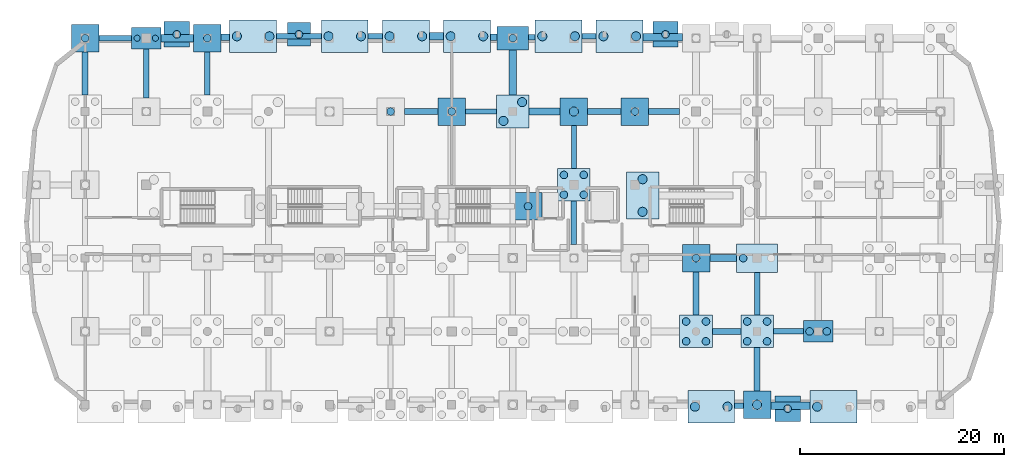
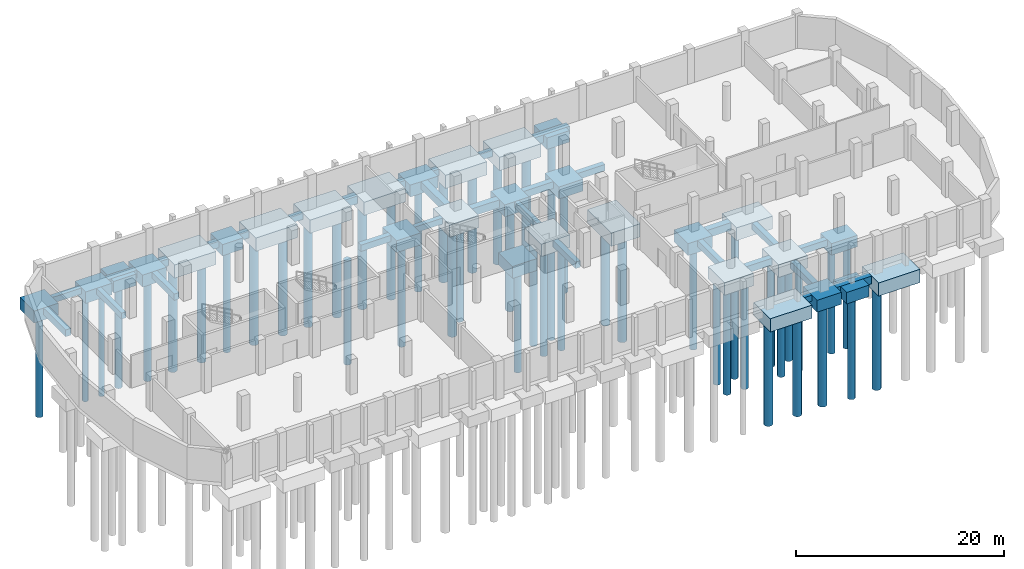
# One storey, part 3 of 11: 58 footings, 50 piles.
"""IFC4 building model written with IfcOpenShell, lengths in metres."""

from ifc_helpers import new_model, si_unit, direction, frame, origin, origin_2d, place, context, subcontext, project, spatial, rectangle, circle, extrude, material, material_profile, profile_set, type_object, element, save


model = new_model("IFC4")

# Units and contexts
model_context = context("Model", 3, precision=1e-05, world=origin(), true_north=direction((0.0, 1.0)))
body_context = subcontext(model_context, "Body", "Model", "MODEL_VIEW")
ifc_project = project(units=[si_unit("LENGTHUNIT", "METRE"), si_unit("AREAUNIT", "SQUARE_METRE"), si_unit("VOLUMEUNIT", "CUBIC_METRE"), si_unit("PLANEANGLEUNIT", "RADIAN"), si_unit("MASSUNIT", "GRAM", prefix="KILO")], contexts=[model_context])

# Site, building, storey
site_placement = place(None, origin())
site = spatial("IfcSite", under=ifc_project, at=site_placement, CompositionType="ELEMENT")
building_placement = place(site_placement, origin())
building = spatial("IfcBuilding", under=site, at=building_placement, Name="Dunvalen Ferry Terminal", CompositionType="ELEMENT")
storey_placement = place(building_placement, frame((0.0, 0.0, -4.080078125)))
storey = spatial("IfcBuildingStorey", under=building, at=storey_placement, Name="B1", CompositionType="ELEMENT", Elevation=-4.080078125)

# Footings
ifc_material = material(Name="Concrete C40/50", Category="concrete")
ifc_material_profile_1 = material_profile(ifc_material, rectangle(XDim=0.5, YDim=0.699951171875, at=origin_2d()), Name="Concrete C40/50")
ifc_profile_set_1 = profile_set([ifc_material_profile_1], Name="Concrete C40/50")
footing_type_1 = type_object("IfcFootingType", Name="STR-GB-500x700", PredefinedType="FOOTING_BEAM", material=ifc_profile_set_1)
footing_1_placement = place(storey_placement, frame((69.800048828125, -0.094970703125, -0.77001953125), z_axis=(1.0, 0.0, 0.0), x_axis=(0.0, 1.0, 0.0)))
element("IfcFooting", 1, at=footing_1_placement, inside=storey, type_object=footing_type_1, Name="B1 Ground Beam X-011", PredefinedType="FOOTING_BEAM", context=body_context, shape_type="SweptSolid", body=[
    extrude(rectangle(XDim=0.5, YDim=0.699951171875, at=origin_2d()), origin(), (0.0, 0.0, 1.0), 0.849853515625),
])
footing_2_placement = place(storey_placement, frame((43.35009765625, 28.800048828125, -0.77001953125), z_axis=(1.0, 0.0, 0.0), x_axis=(0.0, 1.0, 0.0)))
element("IfcFooting", 2, at=footing_2_placement, inside=storey, type_object=footing_type_1, Name="B1 Ground Beam X-059", PredefinedType="FOOTING_BEAM", context=body_context, shape_type="SweptSolid", body=[
    extrude(rectangle(XDim=0.5, YDim=0.699951171875, at=origin_2d()), origin(), (0.0, 0.0, 1.0), 3.0498046875),
])
footing_3_placement = place(storey_placement, frame((7.35009765625, 36.0, -0.77001953125), z_axis=(1.0, 0.0, 0.0), x_axis=(0.0, 1.0, 0.0)))
element("IfcFooting", 3, at=footing_3_placement, inside=storey, type_object=footing_type_1, Name="B1 Ground Beam X-067", PredefinedType="FOOTING_BEAM", context=body_context, shape_type="SweptSolid", body=[
    extrude(rectangle(XDim=0.5, YDim=0.699951171875, at=origin_2d()), origin(), (0.0, 0.0, 1.0), 3.199951171875),
])
for number, where, z_axis, x_axis, name in (
    (4, (33.800048828125, 36.18994140625, -0.77001953125), (1.0, 0.0, 0.0), (0.0, 1.0, 0.0), "B1 Ground Beam X-071"),
    (5, (54.800048828125, 36.18994140625, -0.77001953125), (1.0, 0.0, 0.0), (0.0, 1.0, 0.0), "B1 Ground Beam X-075"),
):
    element("IfcFooting", number, at=place(storey_placement, frame(where, z_axis=z_axis, x_axis=x_axis)), inside=storey, type_object=footing_type_1, Name=name, PredefinedType="FOOTING_BEAM", context=body_context, shape_type="SweptSolid", body=[
        extrude(rectangle(XDim=0.5, YDim=0.699951171875, at=origin_2d()), origin(), (0.0, 0.0, 1.0), 1.39990234375),
    ])
footing_4_placement = place(storey_placement, frame((12.0, 30.14990234375, -0.77001953125), z_axis=(0.0, 1.0, 0.0), x_axis=(-1.0, 0.0, 0.0)))
element("IfcFooting", 6, at=footing_4_placement, inside=storey, type_object=footing_type_1, Name="B1 Ground Beam Y-087", PredefinedType="FOOTING_BEAM", context=body_context, shape_type="SweptSolid", body=[
    extrude(rectangle(XDim=0.5, YDim=0.699951171875, at=origin_2d()), origin(), (0.0, 0.0, 1.0), 4.800048828125),
])
footing_5_placement = place(storey_placement, frame((54.0, 23.199951171875, -0.77001953125), z_axis=(0.0, 1.0, 0.0), x_axis=(-1.0, 0.0, 0.0)))
element("IfcFooting", 7, at=footing_5_placement, inside=storey, type_object=footing_type_1, Name="B1 Ground Beam Y-107", PredefinedType="FOOTING_BEAM", context=body_context, shape_type="SweptSolid", body=[
    extrude(rectangle(XDim=0.5, YDim=0.699951171875, at=origin_2d()), origin(), (0.0, 0.0, 1.0), 4.25),
])
ifc_material_profile_2 = material_profile(ifc_material, rectangle(XDim=0.550048828125, YDim=0.75, at=origin_2d()), Name="Concrete C40/50")
ifc_profile_set_2 = profile_set([ifc_material_profile_2], Name="Concrete C40/50")
footing_type_2 = type_object("IfcFootingType", Name="STR-GB-550x750", PredefinedType="FOOTING_BEAM", material=ifc_profile_set_2)
footing_6_placement = place(storey_placement, frame((73.60009765625, 7.199951171875, -0.794921875), z_axis=(1.0, 0.0, 0.0), x_axis=(0.0, 1.0, 0.0)))
element("IfcFooting", 8, at=footing_6_placement, inside=storey, type_object=footing_type_2, Name="B1 Ground Beam X-026", PredefinedType="FOOTING_BEAM", context=body_context, shape_type="SweptSolid", body=[
    extrude(rectangle(XDim=0.550048828125, YDim=0.75, at=origin_2d()), origin(), (0.0, 0.0, 1.0), 2.949951171875),
])
footing_7_placement = place(storey_placement, frame((37.35009765625, 28.800048828125, -0.794921875), z_axis=(1.0, 0.0, 0.0), x_axis=(0.0, 1.0, 0.0)))
element("IfcFooting", 9, at=footing_7_placement, inside=storey, type_object=footing_type_2, Name="B1 Ground Beam X-058", PredefinedType="FOOTING_BEAM", context=body_context, shape_type="SweptSolid", body=[
    extrude(rectangle(XDim=0.550048828125, YDim=0.75, at=origin_2d()), origin(), (0.0, 0.0, 1.0), 3.2998046875),
])
footing_8_placement = place(storey_placement, frame((61.35009765625, 28.800048828125, -0.794921875), z_axis=(1.0, 0.0, 0.0), x_axis=(0.0, 1.0, 0.0)))
element("IfcFooting", 10, at=footing_8_placement, inside=storey, type_object=footing_type_2, Name="B1 Ground Beam X-062", PredefinedType="FOOTING_BEAM", context=body_context, shape_type="SweptSolid", body=[
    extrude(rectangle(XDim=0.550048828125, YDim=0.75, at=origin_2d()), origin(), (0.0, 0.0, 1.0), 3.0498046875),
])
footing_9_placement = place(storey_placement, frame((24.800048828125, 36.18994140625, -0.794921875), z_axis=(1.0, 0.0, 0.0), x_axis=(0.0, 1.0, 0.0)))
element("IfcFooting", 11, at=footing_9_placement, inside=storey, type_object=footing_type_2, Name="B1 Ground Beam X-070", PredefinedType="FOOTING_BEAM", context=body_context, shape_type="SweptSolid", body=[
    extrude(rectangle(XDim=0.550048828125, YDim=0.75, at=origin_2d()), origin(), (0.0, 0.0, 1.0), 4.39990234375),
])
footing_10_placement = place(storey_placement, frame((49.550048828125, 36.094970703125, -0.794921875), z_axis=(1.0, 0.0, 0.0), x_axis=(0.0, 1.0, 0.0)))
element("IfcFooting", 12, at=footing_10_placement, inside=storey, type_object=footing_type_2, Name="B1 Ground Beam X-074", PredefinedType="FOOTING_BEAM", context=body_context, shape_type="SweptSolid", body=[
    extrude(rectangle(XDim=0.550048828125, YDim=0.75, at=origin_2d()), origin(), (0.0, 0.0, 1.0), 0.64990234375),
])
for number, where, z_axis, x_axis, name in (
    (13, (18.0, 30.39990234375, -0.794921875), (0.0, 1.0, 0.0), (-1.0, 0.0, 0.0), "B1 Ground Beam Y-090"),
    (14, (54.0, 15.75, -0.794921875), (0.0, 1.0, 0.0), (-1.0, 0.0, 0.0), "B1 Ground Beam Y-106"),
    (15, (66.0, 8.800048828125, -0.794921875), (0.0, 1.0, 0.0), (-1.0, 0.0, 0.0), "B1 Ground Beam Y-110"),
):
    element("IfcFooting", number, at=place(storey_placement, frame(where, z_axis=z_axis, x_axis=x_axis)), inside=storey, type_object=footing_type_2, Name=name, PredefinedType="FOOTING_BEAM", context=body_context, shape_type="SweptSolid", body=[
        extrude(rectangle(XDim=0.550048828125, YDim=0.75, at=origin_2d()), origin(), (0.0, 0.0, 1.0), 4.25),
    ])
footing_11_placement = place(storey_placement, frame((72.0, 8.800048828125, -0.794921875), z_axis=(0.0, 1.0, 0.0), x_axis=(-1.0, 0.0, 0.0)))
element("IfcFooting", 16, at=footing_11_placement, inside=storey, type_object=footing_type_2, Name="B1 Ground Beam Y-114", PredefinedType="FOOTING_BEAM", context=body_context, shape_type="SweptSolid", body=[
    extrude(rectangle(XDim=0.550048828125, YDim=0.75, at=origin_2d()), origin(), (0.0, 0.0, 1.0), 4.199951171875),
])
ifc_material_profile_3 = material_profile(ifc_material, rectangle(XDim=0.60009765625, YDim=0.800048828125, at=origin_2d()), Name="Concrete C40/50")
ifc_profile_set_3 = profile_set([ifc_material_profile_3], Name="Concrete C40/50")
footing_type_3 = type_object("IfcFootingType", Name="STR-GB-600x800", PredefinedType="FOOTING_BEAM", material=ifc_profile_set_3)
footing_12_placement = place(storey_placement, frame((67.60009765625, 7.199951171875, -0.81982421875), z_axis=(1.0, 0.0, 0.0), x_axis=(0.0, 1.0, 0.0)))
element("IfcFooting", 17, at=footing_12_placement, inside=storey, type_object=footing_type_3, Name="B1 Ground Beam X-025", PredefinedType="FOOTING_BEAM", context=body_context, shape_type="SweptSolid", body=[
    extrude(rectangle(XDim=0.60009765625, YDim=0.800048828125, at=origin_2d()), origin(), (0.0, 0.0, 1.0), 2.7998046875),
])
footing_13_placement = place(storey_placement, frame((55.35009765625, 28.800048828125, -0.81982421875), z_axis=(1.0, 0.0, 0.0), x_axis=(0.0, 1.0, 0.0)))
element("IfcFooting", 18, at=footing_13_placement, inside=storey, type_object=footing_type_3, Name="B1 Ground Beam X-061", PredefinedType="FOOTING_BEAM", context=body_context, shape_type="SweptSolid", body=[
    extrude(rectangle(XDim=0.60009765625, YDim=0.800048828125, at=origin_2d()), origin(), (0.0, 0.0, 1.0), 3.2998046875),
])
footing_14_placement = place(storey_placement, frame((19.35009765625, 36.094970703125, -0.81982421875), z_axis=(1.0, 0.0, 0.0), x_axis=(0.0, 1.0, 0.0)))
element("IfcFooting", 19, at=footing_14_placement, inside=storey, type_object=footing_type_3, Name="B1 Ground Beam X-069", PredefinedType="FOOTING_BEAM", context=body_context, shape_type="SweptSolid", body=[
    extrude(rectangle(XDim=0.60009765625, YDim=0.800048828125, at=origin_2d()), origin(), (0.0, 0.0, 1.0), 0.849853515625),
])
footing_15_placement = place(storey_placement, frame((45.800048828125, 36.094970703125, -0.81982421875), z_axis=(1.0, 0.0, 0.0), x_axis=(0.0, 1.0, 0.0)))
element("IfcFooting", 20, at=footing_15_placement, inside=storey, type_object=footing_type_3, Name="B1 Ground Beam X-073", PredefinedType="FOOTING_BEAM", context=body_context, shape_type="SweptSolid", body=[
    extrude(rectangle(XDim=0.60009765625, YDim=0.800048828125, at=origin_2d()), origin(), (0.0, 0.0, 1.0), 0.64990234375),
])
for number, where, z_axis, x_axis, name in (
    (21, (6.0, 30.39990234375, -0.81982421875), (0.0, 1.0, 0.0), (-1.0, 0.0, 0.0), "B1 Ground Beam Y-085"),
    (22, (72.0, 1.35009765625, -0.81982421875), (0.0, 1.0, 0.0), (-1.0, 0.0, 0.0), "B1 Ground Beam Y-113"),
):
    element("IfcFooting", number, at=place(storey_placement, frame(where, z_axis=z_axis, x_axis=x_axis)), inside=storey, type_object=footing_type_3, Name=name, PredefinedType="FOOTING_BEAM", context=body_context, shape_type="SweptSolid", body=[
        extrude(rectangle(XDim=0.60009765625, YDim=0.800048828125, at=origin_2d()), origin(), (0.0, 0.0, 1.0), 4.25),
    ])
ifc_material_profile_4 = material_profile(ifc_material, rectangle(XDim=0.699951171875, YDim=0.89990234375, at=origin_2d()), Name="Concrete C40/50")
ifc_profile_set_4 = profile_set([ifc_material_profile_4], Name="Concrete C40/50")
footing_type_4 = type_object("IfcFootingType", Name="STR-GB-700x900", PredefinedType="FOOTING_BEAM", material=ifc_profile_set_4)
footing_16_placement = place(storey_placement, frame((73.35009765625, -0.094970703125, -0.869873046875), z_axis=(1.0, 0.0, 0.0), x_axis=(0.0, 1.0, 0.0)))
element("IfcFooting", 23, at=footing_16_placement, inside=storey, type_object=footing_type_4, Name="B1 Ground Beam X-012", PredefinedType="FOOTING_BEAM", context=body_context, shape_type="SweptSolid", body=[
    extrude(rectangle(XDim=0.699951171875, YDim=0.89990234375, at=origin_2d()), origin(), (0.0, 0.0, 1.0), 3.849853515625),
])
footing_17_placement = place(storey_placement, frame((67.35009765625, 14.39990234375, -0.869873046875), z_axis=(1.0, 0.0, 0.0), x_axis=(0.0, 1.0, 0.0)))
element("IfcFooting", 24, at=footing_17_placement, inside=storey, type_object=footing_type_4, Name="B1 Ground Beam X-040", PredefinedType="FOOTING_BEAM", context=body_context, shape_type="SweptSolid", body=[
    extrude(rectangle(XDim=0.699951171875, YDim=0.89990234375, at=origin_2d()), origin(), (0.0, 0.0, 1.0), 2.64990234375),
])
footing_18_placement = place(storey_placement, frame((49.60009765625, 28.800048828125, -0.869873046875), z_axis=(1.0, 0.0, 0.0), x_axis=(0.0, 1.0, 0.0)))
element("IfcFooting", 25, at=footing_18_placement, inside=storey, type_object=footing_type_4, Name="B1 Ground Beam X-060", PredefinedType="FOOTING_BEAM", context=body_context, shape_type="SweptSolid", body=[
    extrude(rectangle(XDim=0.699951171875, YDim=0.89990234375, at=origin_2d()), origin(), (0.0, 0.0, 1.0), 3.0498046875),
])
footing_19_placement = place(storey_placement, frame((13.449951171875, 36.0, -0.869873046875), z_axis=(1.0, 0.0, 0.0), x_axis=(0.0, 1.0, 0.0)))
element("IfcFooting", 26, at=footing_19_placement, inside=storey, type_object=footing_type_4, Name="B1 Ground Beam X-068", PredefinedType="FOOTING_BEAM", context=body_context, shape_type="SweptSolid", body=[
    extrude(rectangle(XDim=0.699951171875, YDim=0.89990234375, at=origin_2d()), origin(), (0.0, 0.0, 1.0), 3.199951171875),
])
footing_20_placement = place(storey_placement, frame((39.800048828125, 36.18994140625, -0.869873046875), z_axis=(1.0, 0.0, 0.0), x_axis=(0.0, 1.0, 0.0)))
element("IfcFooting", 27, at=footing_20_placement, inside=storey, type_object=footing_type_4, Name="B1 Ground Beam X-072", PredefinedType="FOOTING_BEAM", context=body_context, shape_type="SweptSolid", body=[
    extrude(rectangle(XDim=0.699951171875, YDim=0.89990234375, at=origin_2d()), origin(), (0.0, 0.0, 1.0), 1.39990234375),
])
footing_21_placement = place(storey_placement, frame((60.800048828125, 36.094970703125, -0.869873046875), z_axis=(1.0, 0.0, 0.0), x_axis=(0.0, 1.0, 0.0)))
element("IfcFooting", 28, at=footing_21_placement, inside=storey, type_object=footing_type_4, Name="B1 Ground Beam X-076", PredefinedType="FOOTING_BEAM", context=body_context, shape_type="SweptSolid", body=[
    extrude(rectangle(XDim=0.699951171875, YDim=0.89990234375, at=origin_2d()), origin(), (0.0, 0.0, 1.0), 3.849853515625),
])
footing_22_placement = place(storey_placement, frame((48.0, 30.39990234375, -0.869873046875), z_axis=(0.0, 1.0, 0.0), x_axis=(-1.0, 0.0, 0.0)))
element("IfcFooting", 29, at=footing_22_placement, inside=storey, type_object=footing_type_4, Name="B1 Ground Beam Y-104", PredefinedType="FOOTING_BEAM", context=body_context, shape_type="SweptSolid", body=[
    extrude(rectangle(XDim=0.699951171875, YDim=0.89990234375, at=origin_2d()), origin(), (0.0, 0.0, 1.0), 4.4501953125),
])
footing_type_5 = type_object("IfcFootingType", Name="STR-PC-04", PredefinedType="PILE_CAP", material=ifc_material)
footing_23_placement = place(storey_placement, frame((27.0, 36.3798828125, -1.7197265625), z_axis=(0.0, 0.0, 1.0), x_axis=(1.0, 0.0, 0.0)))
element("IfcFooting", 30, at=footing_23_placement, inside=storey, type_object=footing_type_5, Name="B1 Pile Cap 029", PredefinedType="PILE_CAP", context=body_context, shape_type="SweptSolid", body=[
    extrude(rectangle(XDim=2.300048828125, YDim=2.300048828125, at=origin_2d()), origin(), (0.0, 0.0, 1.0), 1.300048828125),
])
footing_type_6 = type_object("IfcFootingType", Name="STR-PC-05", PredefinedType="PILE_CAP", material=ifc_material)
for number, where, z_axis, x_axis, name in (
    (31, (15.0, 36.3798828125, -1.77001953125), (0.0, 0.0, 1.0), (1.0, 0.0, 0.0), "B1 Pile Cap 015"),
    (32, (63.0, 36.3798828125, -1.77001953125), (0.0, 0.0, 1.0), (1.0, 0.0, 0.0), "B1 Pile Cap 069"),
    (33, (75.0, -0.3798828125, -1.77001953125), (0.0, 0.0, 1.0), (1.0, 0.0, 0.0), "B1 Pile Cap 082"),
):
    element("IfcFooting", number, at=place(storey_placement, frame(where, z_axis=z_axis, x_axis=x_axis)), inside=storey, type_object=footing_type_6, Name=name, PredefinedType="PILE_CAP", context=body_context, shape_type="SweptSolid", body=[
        extrude(rectangle(XDim=2.5, YDim=2.5, at=origin_2d()), origin(), (0.0, 0.0, 1.0), 1.35009765625),
    ])
footing_type_7 = type_object("IfcFootingType", Name="STR-PC-06", PredefinedType="PILE_CAP", material=ifc_material)
for number, where, z_axis, x_axis, name in (
    (34, (6.0, 36.0, -1.81982421875), (0.0, 0.0, 1.0), (1.0, 0.0, 0.0), "B1 Pile Cap 008"),
    (35, (18.0, 36.0, -1.81982421875), (0.0, 0.0, 1.0), (1.0, 0.0, 0.0), "B1 Pile Cap 020"),
    (36, (42.0, 28.800048828125, -1.81982421875), (0.0, 0.0, 1.0), (1.0, 0.0, 0.0), "B1 Pile Cap 046"),
    (37, (49.5, 19.5, -1.81982421875), (0.0, 0.0, 1.0), (1.0, 0.0, 0.0), "B1 Pile Cap 054"),
    (38, (54.0, 28.800048828125, -1.81982421875), (0.0, 0.0, 1.0), (1.0, 0.0, 0.0), "B1 Pile Cap 061"),
    (39, (60.0, 28.800048828125, -1.81982421875), (0.0, 0.0, 1.0), (1.0, 0.0, 0.0), "B1 Pile Cap 067"),
    (40, (66.0, 14.39990234375, -1.81982421875), (0.0, 0.0, 1.0), (1.0, 0.0, 0.0), "B1 Pile Cap 072"),
    (41, (72.0, 0.0, -1.81982421875), (0.0, 0.0, 1.0), (1.0, 0.0, 0.0), "B1 Pile Cap 077"),
):
    element("IfcFooting", number, at=place(storey_placement, frame(where, z_axis=z_axis, x_axis=x_axis)), inside=storey, type_object=footing_type_7, Name=name, PredefinedType="PILE_CAP", context=body_context, shape_type="SweptSolid", body=[
        extrude(rectangle(XDim=2.699951171875, YDim=2.699951171875, at=origin_2d()), origin(), (0.0, 0.0, 1.0), 1.39990234375),
    ])
footing_type_8 = type_object("IfcFootingType", Name="STR-PC-07", PredefinedType="PILE_CAP", material=ifc_material)
for number, where, z_axis, x_axis, name in (
    (42, (12.0, 36.0, -1.77001953125), (0.0, 0.0, 1.0), (1.0, 0.0, 0.0), "B1 Pile Cap 014"),
    (43, (78.0, 7.199951171875, -1.77001953125), (0.0, 0.0, 1.0), (1.0, 0.0, 0.0), "B1 Pile Cap 084"),
):
    element("IfcFooting", number, at=place(storey_placement, frame(where, z_axis=z_axis, x_axis=x_axis)), inside=storey, type_object=footing_type_8, Name=name, PredefinedType="PILE_CAP", context=body_context, shape_type="SweptSolid", body=[
        extrude(rectangle(XDim=2.89990234375, YDim=2.10009765625, at=origin_2d()), origin(), (0.0, 0.0, 1.0), 1.35009765625),
    ])
footing_type_9 = type_object("IfcFootingType", Name="STR-PC-08", PredefinedType="PILE_CAP", material=ifc_material)
footing_24_placement = place(storey_placement, frame((48.0, 36.0, -1.81982421875), z_axis=(0.0, 0.0, 1.0), x_axis=(1.0, 0.0, 0.0)))
element("IfcFooting", 44, at=footing_24_placement, inside=storey, type_object=footing_type_9, Name="B1 Pile Cap 053", PredefinedType="PILE_CAP", context=body_context, shape_type="SweptSolid", body=[
    extrude(rectangle(XDim=3.10009765625, YDim=2.300048828125, at=origin_2d()), origin(), (0.0, 0.0, 1.0), 1.39990234375),
])
footing_type_10 = type_object("IfcFootingType", Name="STR-PC-09", PredefinedType="PILE_CAP", material=ifc_material)
for number, where, z_axis, x_axis, name in (
    (45, (48.0, 28.800048828125, -1.8701171875), (0.0, 0.0, 1.0), (1.0, 0.0, 0.0), "B1 Pile Cap 052"),
    (46, (54.0, 21.60009765625, -1.8701171875), (0.0, 0.0, 1.0), (1.0, 0.0, 0.0), "B1 Pile Cap 060"),
    (47, (66.0, 7.199951171875, -1.8701171875), (0.0, 0.0, 1.0), (1.0, 0.0, 0.0), "B1 Pile Cap 071"),
    (48, (72.0, 7.199951171875, -1.8701171875), (0.0, 0.0, 1.0), (1.0, 0.0, 0.0), "B1 Pile Cap 078"),
):
    element("IfcFooting", number, at=place(storey_placement, frame(where, z_axis=z_axis, x_axis=x_axis)), inside=storey, type_object=footing_type_10, Name=name, PredefinedType="PILE_CAP", context=body_context, shape_type="SweptSolid", body=[
        extrude(rectangle(XDim=3.199951171875, YDim=3.199951171875, at=origin_2d()), origin(), (0.0, 0.0, 1.0), 1.449951171875),
    ])
footing_type_11 = type_object("IfcFootingType", Name="STR-PC-12", PredefinedType="PILE_CAP", material=ifc_material)
footing_25_placement = place(storey_placement, frame((72.0, 14.39990234375, -1.919921875), z_axis=(0.0, 0.0, 1.0), x_axis=(1.0, 0.0, 0.0)))
element("IfcFooting", 49, at=footing_25_placement, inside=storey, type_object=footing_type_11, Name="B1 Pile Cap 079", PredefinedType="PILE_CAP", context=body_context, shape_type="SweptSolid", body=[
    extrude(rectangle(XDim=4.0, YDim=2.800048828125, at=origin_2d()), origin(), (0.0, 0.0, 1.0), 1.5),
])
footing_type_12 = type_object("IfcFootingType", Name="STR-PC-14", PredefinedType="PILE_CAP", material=ifc_material)
for number, where, z_axis, x_axis, name in (
    (50, (22.5, 36.18994140625, -1.9697265625), (0.0, 0.0, 1.0), (1.0, 0.0, 0.0), "B1 Pile Cap 022"),
    (51, (31.5, 36.18994140625, -1.9697265625), (0.0, 0.0, 1.0), (1.0, 0.0, 0.0), "B1 Pile Cap 033"),
    (52, (37.5, 36.18994140625, -1.9697265625), (0.0, 0.0, 1.0), (1.0, 0.0, 0.0), "B1 Pile Cap 040"),
    (53, (43.5, 36.18994140625, -1.9697265625), (0.0, 0.0, 1.0), (1.0, 0.0, 0.0), "B1 Pile Cap 047"),
    (54, (52.5, 36.18994140625, -1.9697265625), (0.0, 0.0, 1.0), (1.0, 0.0, 0.0), "B1 Pile Cap 056"),
    (55, (58.5, 36.18994140625, -1.9697265625), (0.0, 0.0, 1.0), (1.0, 0.0, 0.0), "B1 Pile Cap 062"),
    (56, (60.75, 20.550048828125, -1.9697265625), (0.0, 0.0, 1.0), (0.0, 1.0, 0.0), "B1 Pile Cap 066"),
    (57, (67.5, -0.18994140625, -1.9697265625), (0.0, 0.0, 1.0), (1.0, 0.0, 0.0), "B1 Pile Cap 070"),
    (58, (79.5, -0.18994140625, -1.9697265625), (0.0, 0.0, 1.0), (1.0, 0.0, 0.0), "B1 Pile Cap 083"),
):
    element("IfcFooting", number, at=place(storey_placement, frame(where, z_axis=z_axis, x_axis=x_axis)), inside=storey, type_object=footing_type_12, Name=name, PredefinedType="PILE_CAP", context=body_context, shape_type="SweptSolid", body=[
        extrude(rectangle(XDim=4.60009765625, YDim=3.199951171875, at=origin_2d()), origin(), (0.0, 0.0, 1.0), 1.550048828125),
    ])

# Piles
ifc_material_profile_5 = material_profile(ifc_material, circle(Radius=0.300048828125, at=origin_2d()), Name="Concrete C40/50")
ifc_profile_set_5 = profile_set([ifc_material_profile_5], Name="Concrete C40/50")
pile_type_1 = type_object("IfcPileType", Name="STR-PILE-P600", PredefinedType="BORED", material=ifc_profile_set_5)
for number, where, z_axis, x_axis, name in (
    (59, (11.10009765625, 36.0, -1.669921875), (0.0, 0.0, -1.0), (1.0, 0.0, 0.0), "B1 Bored Pile 014.1"),
    (60, (12.89990234375, 36.0, -1.669921875), (0.0, 0.0, -1.0), (1.0, 0.0, 0.0), "B1 Bored Pile 014.2"),
):
    element("IfcPile", number, at=place(storey_placement, frame(where, z_axis=z_axis, x_axis=x_axis)), inside=storey, type_object=pile_type_1, Name=name, PredefinedType="BORED", context=body_context, shape_type="SweptSolid", body=[
        extrude(circle(Radius=0.300048828125, at=origin_2d()), origin(), (0.0, 0.0, 1.0), 12.25),
    ])
ifc_material_profile_6 = material_profile(ifc_material, circle(Radius=0.375, at=origin_2d()), Name="Concrete C40/50")
ifc_profile_set_6 = profile_set([ifc_material_profile_6], Name="Concrete C40/50")
pile_type_2 = type_object("IfcPileType", Name="STR-PILE-P750", PredefinedType="BORED", material=ifc_profile_set_6)
pile_1_placement = place(storey_placement, frame((6.0, 36.0, -1.719970703125), z_axis=(0.0, 0.0, -1.0), x_axis=(1.0, 0.0, 0.0)))
element("IfcPile", 61, at=pile_1_placement, inside=storey, type_object=pile_type_2, Name="B1 Bored Pile 008.1", PredefinedType="BORED", context=body_context, shape_type="SweptSolid", body=[
    extrude(circle(Radius=0.375, at=origin_2d()), origin(), (0.0, 0.0, 1.0), 12.199951171875),
])
pile_2_placement = place(storey_placement, frame((15.0, 36.3798828125, -1.669921875), z_axis=(0.0, 0.0, -1.0), x_axis=(1.0, 0.0, 0.0)))
element("IfcPile", 62, at=pile_2_placement, inside=storey, type_object=pile_type_2, Name="B1 Bored Pile 015.1", PredefinedType="BORED", context=body_context, shape_type="SweptSolid", body=[
    extrude(circle(Radius=0.375, at=origin_2d()), origin(), (0.0, 0.0, 1.0), 12.25),
])
pile_3_placement = place(storey_placement, frame((18.0, 36.0, -1.719970703125), z_axis=(0.0, 0.0, -1.0), x_axis=(1.0, 0.0, 0.0)))
element("IfcPile", 63, at=pile_3_placement, inside=storey, type_object=pile_type_2, Name="B1 Bored Pile 020.1", PredefinedType="BORED", context=body_context, shape_type="SweptSolid", body=[
    extrude(circle(Radius=0.375, at=origin_2d()), origin(), (0.0, 0.0, 1.0), 12.199951171875),
])
pile_4_placement = place(storey_placement, frame((27.0, 36.3798828125, -1.619873046875), z_axis=(0.0, 0.0, -1.0), x_axis=(1.0, 0.0, 0.0)))
element("IfcPile", 64, at=pile_4_placement, inside=storey, type_object=pile_type_2, Name="B1 Bored Pile 029.1", PredefinedType="BORED", context=body_context, shape_type="SweptSolid", body=[
    extrude(circle(Radius=0.375, at=origin_2d()), origin(), (0.0, 0.0, 1.0), 12.300048828125),
])
for number, where, z_axis, x_axis, name in (
    (65, (36.0, 28.800048828125, -1.719970703125), (0.0, 0.0, -1.0), (1.0, 0.0, 0.0), "B1 Bored Pile 039.1"),
    (66, (42.0, 28.800048828125, -1.719970703125), (0.0, 0.0, -1.0), (1.0, 0.0, 0.0), "B1 Bored Pile 046.1"),
    (67, (48.0, 36.0, -1.719970703125), (0.0, 0.0, -1.0), (1.0, 0.0, 0.0), "B1 Bored Pile 053.1"),
    (68, (49.5, 19.5, -1.719970703125), (0.0, 0.0, -1.0), (1.0, 0.0, 0.0), "B1 Bored Pile 054.1"),
):
    element("IfcPile", number, at=place(storey_placement, frame(where, z_axis=z_axis, x_axis=x_axis)), inside=storey, type_object=pile_type_2, Name=name, PredefinedType="BORED", context=body_context, shape_type="SweptSolid", body=[
        extrude(circle(Radius=0.375, at=origin_2d()), origin(), (0.0, 0.0, 1.0), 12.199951171875),
    ])
for number, where, z_axis, x_axis, name in (
    (69, (53.02490234375, 20.625, -1.77001953125), (0.0, 0.0, -1.0), (1.0, 0.0, 0.0), "B1 Bored Pile 060.1"),
    (70, (54.97509765625, 20.625, -1.77001953125), (0.0, 0.0, -1.0), (1.0, 0.0, 0.0), "B1 Bored Pile 060.2"),
    (71, (53.02490234375, 22.574951171875, -1.77001953125), (0.0, 0.0, -1.0), (1.0, 0.0, 0.0), "B1 Bored Pile 060.3"),
    (72, (54.97509765625, 22.574951171875, -1.77001953125), (0.0, 0.0, -1.0), (1.0, 0.0, 0.0), "B1 Bored Pile 060.4"),
):
    element("IfcPile", number, at=place(storey_placement, frame(where, z_axis=z_axis, x_axis=x_axis)), inside=storey, type_object=pile_type_2, Name=name, PredefinedType="BORED", context=body_context, shape_type="SweptSolid", body=[
        extrude(circle(Radius=0.375, at=origin_2d()), origin(), (0.0, 0.0, 1.0), 12.14990234375),
    ])
pile_5_placement = place(storey_placement, frame((60.0, 28.800048828125, -1.719970703125), z_axis=(0.0, 0.0, -1.0), x_axis=(1.0, 0.0, 0.0)))
element("IfcPile", 73, at=pile_5_placement, inside=storey, type_object=pile_type_2, Name="B1 Bored Pile 067.1", PredefinedType="BORED", context=body_context, shape_type="SweptSolid", body=[
    extrude(circle(Radius=0.375, at=origin_2d()), origin(), (0.0, 0.0, 1.0), 12.199951171875),
])
pile_6_placement = place(storey_placement, frame((63.0, 36.3798828125, -1.669921875), z_axis=(0.0, 0.0, -1.0), x_axis=(1.0, 0.0, 0.0)))
element("IfcPile", 74, at=pile_6_placement, inside=storey, type_object=pile_type_2, Name="B1 Bored Pile 069.1", PredefinedType="BORED", context=body_context, shape_type="SweptSolid", body=[
    extrude(circle(Radius=0.375, at=origin_2d()), origin(), (0.0, 0.0, 1.0), 12.25),
])
for number, where, z_axis, x_axis, name in (
    (75, (65.02490234375, 6.22509765625, -1.77001953125), (0.0, 0.0, -1.0), (1.0, 0.0, 0.0), "B1 Bored Pile 071.1"),
    (76, (66.97509765625, 6.22509765625, -1.77001953125), (0.0, 0.0, -1.0), (1.0, 0.0, 0.0), "B1 Bored Pile 071.2"),
    (77, (65.02490234375, 8.175048828125, -1.77001953125), (0.0, 0.0, -1.0), (1.0, 0.0, 0.0), "B1 Bored Pile 071.3"),
    (78, (66.97509765625, 8.175048828125, -1.77001953125), (0.0, 0.0, -1.0), (1.0, 0.0, 0.0), "B1 Bored Pile 071.4"),
):
    element("IfcPile", number, at=place(storey_placement, frame(where, z_axis=z_axis, x_axis=x_axis)), inside=storey, type_object=pile_type_2, Name=name, PredefinedType="BORED", context=body_context, shape_type="SweptSolid", body=[
        extrude(circle(Radius=0.375, at=origin_2d()), origin(), (0.0, 0.0, 1.0), 12.14990234375),
    ])
pile_7_placement = place(storey_placement, frame((66.0, 14.39990234375, -1.719970703125), z_axis=(0.0, 0.0, -1.0), x_axis=(1.0, 0.0, 0.0)))
element("IfcPile", 79, at=pile_7_placement, inside=storey, type_object=pile_type_2, Name="B1 Bored Pile 072.1", PredefinedType="BORED", context=body_context, shape_type="SweptSolid", body=[
    extrude(circle(Radius=0.375, at=origin_2d()), origin(), (0.0, 0.0, 1.0), 12.199951171875),
])
for number, where, z_axis, x_axis, name in (
    (80, (71.02490234375, 6.22509765625, -1.77001953125), (0.0, 0.0, -1.0), (1.0, 0.0, 0.0), "B1 Bored Pile 078.1"),
    (81, (72.97509765625, 6.22509765625, -1.77001953125), (0.0, 0.0, -1.0), (1.0, 0.0, 0.0), "B1 Bored Pile 078.2"),
    (82, (71.02490234375, 8.175048828125, -1.77001953125), (0.0, 0.0, -1.0), (1.0, 0.0, 0.0), "B1 Bored Pile 078.3"),
    (83, (72.97509765625, 8.175048828125, -1.77001953125), (0.0, 0.0, -1.0), (1.0, 0.0, 0.0), "B1 Bored Pile 078.4"),
):
    element("IfcPile", number, at=place(storey_placement, frame(where, z_axis=z_axis, x_axis=x_axis)), inside=storey, type_object=pile_type_2, Name=name, PredefinedType="BORED", context=body_context, shape_type="SweptSolid", body=[
        extrude(circle(Radius=0.375, at=origin_2d()), origin(), (0.0, 0.0, 1.0), 12.14990234375),
    ])
pile_8_placement = place(storey_placement, frame((70.625, 14.39990234375, -1.81982421875), z_axis=(0.0, 0.0, -1.0), x_axis=(1.0, 0.0, 0.0)))
element("IfcPile", 84, at=pile_8_placement, inside=storey, type_object=pile_type_2, Name="B1 Bored Pile 079.1", PredefinedType="BORED", context=body_context, shape_type="SweptSolid", body=[
    extrude(circle(Radius=0.375, at=origin_2d()), origin(), (0.0, 0.0, 1.0), 12.10009765625),
])
for number, where, z_axis, x_axis, name in (
    (85, (75.0, -0.3798828125, -1.669921875), (0.0, 0.0, -1.0), (1.0, 0.0, 0.0), "B1 Bored Pile 082.1"),
    (86, (77.14990234375, 7.199951171875, -1.669921875), (0.0, 0.0, -1.0), (1.0, 0.0, 0.0), "B1 Bored Pile 084.1"),
    (87, (78.85009765625, 7.199951171875, -1.669921875), (0.0, 0.0, -1.0), (1.0, 0.0, 0.0), "B1 Bored Pile 084.2"),
):
    element("IfcPile", number, at=place(storey_placement, frame(where, z_axis=z_axis, x_axis=x_axis)), inside=storey, type_object=pile_type_2, Name=name, PredefinedType="BORED", context=body_context, shape_type="SweptSolid", body=[
        extrude(circle(Radius=0.375, at=origin_2d()), origin(), (0.0, 0.0, 1.0), 12.25),
    ])
ifc_material_profile_7 = material_profile(ifc_material, circle(Radius=0.449951171875, at=origin_2d()), Name="Concrete C40/50")
ifc_profile_set_7 = profile_set([ifc_material_profile_7], Name="Concrete C40/50")
pile_type_3 = type_object("IfcPileType", Name="STR-PILE-P900", PredefinedType="BORED", material=ifc_profile_set_7)
for number, where, z_axis, x_axis, name in (
    (88, (20.89990234375, 36.18994140625, -1.869873046875), (0.0, 0.0, -1.0), (1.0, 0.0, 0.0), "B1 Bored Pile 022.1"),
    (89, (24.10009765625, 36.18994140625, -1.869873046875), (0.0, 0.0, -1.0), (1.0, 0.0, 0.0), "B1 Bored Pile 022.2"),
    (90, (29.89990234375, 36.18994140625, -1.869873046875), (0.0, 0.0, -1.0), (1.0, 0.0, 0.0), "B1 Bored Pile 033.1"),
    (91, (33.10009765625, 36.18994140625, -1.869873046875), (0.0, 0.0, -1.0), (1.0, 0.0, 0.0), "B1 Bored Pile 033.2"),
    (92, (35.89990234375, 36.18994140625, -1.869873046875), (0.0, 0.0, -1.0), (1.0, 0.0, 0.0), "B1 Bored Pile 040.1"),
    (93, (39.10009765625, 36.18994140625, -1.869873046875), (0.0, 0.0, -1.0), (1.0, 0.0, 0.0), "B1 Bored Pile 040.2"),
    (94, (41.89990234375, 36.18994140625, -1.869873046875), (0.0, 0.0, -1.0), (1.0, 0.0, 0.0), "B1 Bored Pile 047.1"),
    (95, (45.10009765625, 36.18994140625, -1.869873046875), (0.0, 0.0, -1.0), (1.0, 0.0, 0.0), "B1 Bored Pile 047.2"),
):
    element("IfcPile", number, at=place(storey_placement, frame(where, z_axis=z_axis, x_axis=x_axis)), inside=storey, type_object=pile_type_3, Name=name, PredefinedType="BORED", context=body_context, shape_type="SweptSolid", body=[
        extrude(circle(Radius=0.449951171875, at=origin_2d()), origin(), (0.0, 0.0, 1.0), 12.050048828125),
    ])
for number, where, z_axis, x_axis, name in (
    (96, (47.080078125, 27.8798828125, -1.77001953125), (0.0, 0.0, -1.0), (1.0, 0.0, 0.0), "B1 Bored Pile 052.1"),
    (97, (48.919921875, 29.719970703125, -1.77001953125), (0.0, 0.0, -1.0), (1.0, 0.0, 0.0), "B1 Bored Pile 052.2"),
):
    element("IfcPile", number, at=place(storey_placement, frame(where, z_axis=z_axis, x_axis=x_axis)), inside=storey, type_object=pile_type_3, Name=name, PredefinedType="BORED", context=body_context, shape_type="SweptSolid", body=[
        extrude(circle(Radius=0.449951171875, at=origin_2d()), origin(), (0.0, 0.0, 1.0), 12.14990234375),
    ])
for number, where, z_axis, x_axis, name in (
    (98, (50.89990234375, 36.18994140625, -1.869873046875), (0.0, 0.0, -1.0), (1.0, 0.0, 0.0), "B1 Bored Pile 056.1"),
    (99, (54.10009765625, 36.18994140625, -1.869873046875), (0.0, 0.0, -1.0), (1.0, 0.0, 0.0), "B1 Bored Pile 056.2"),
):
    element("IfcPile", number, at=place(storey_placement, frame(where, z_axis=z_axis, x_axis=x_axis)), inside=storey, type_object=pile_type_3, Name=name, PredefinedType="BORED", context=body_context, shape_type="SweptSolid", body=[
        extrude(circle(Radius=0.449951171875, at=origin_2d()), origin(), (0.0, 0.0, 1.0), 12.050048828125),
    ])
pile_9_placement = place(storey_placement, frame((54.0, 28.800048828125, -1.719970703125), z_axis=(0.0, 0.0, -1.0), x_axis=(1.0, 0.0, 0.0)))
element("IfcPile", 100, at=pile_9_placement, inside=storey, type_object=pile_type_3, Name="B1 Bored Pile 061.1", PredefinedType="BORED", context=body_context, shape_type="SweptSolid", body=[
    extrude(circle(Radius=0.449951171875, at=origin_2d()), origin(), (0.0, 0.0, 1.0), 12.199951171875),
])
for number, where, z_axis, x_axis, name in (
    (101, (56.89990234375, 36.18994140625, -1.869873046875), (0.0, 0.0, -1.0), (1.0, 0.0, 0.0), "B1 Bored Pile 062.1"),
    (102, (60.10009765625, 36.18994140625, -1.869873046875), (0.0, 0.0, -1.0), (1.0, 0.0, 0.0), "B1 Bored Pile 062.2"),
    (103, (60.75, 18.949951171875, -1.869873046875), (0.0, 0.0, -1.0), (1.0, 0.0, 0.0), "B1 Bored Pile 066.1"),
    (104, (60.75, 22.14990234375, -1.869873046875), (0.0, 0.0, -1.0), (1.0, 0.0, 0.0), "B1 Bored Pile 066.2"),
    (105, (65.89990234375, -0.18994140625, -1.869873046875), (0.0, 0.0, -1.0), (1.0, 0.0, 0.0), "B1 Bored Pile 070.1"),
    (106, (69.10009765625, -0.18994140625, -1.869873046875), (0.0, 0.0, -1.0), (1.0, 0.0, 0.0), "B1 Bored Pile 070.2"),
):
    element("IfcPile", number, at=place(storey_placement, frame(where, z_axis=z_axis, x_axis=x_axis)), inside=storey, type_object=pile_type_3, Name=name, PredefinedType="BORED", context=body_context, shape_type="SweptSolid", body=[
        extrude(circle(Radius=0.449951171875, at=origin_2d()), origin(), (0.0, 0.0, 1.0), 12.050048828125),
    ])
pile_10_placement = place(storey_placement, frame((72.0, 0.0, -1.719970703125), z_axis=(0.0, 0.0, -1.0), x_axis=(1.0, 0.0, 0.0)))
element("IfcPile", 107, at=pile_10_placement, inside=storey, type_object=pile_type_3, Name="B1 Bored Pile 077.1", PredefinedType="BORED", context=body_context, shape_type="SweptSolid", body=[
    extrude(circle(Radius=0.449951171875, at=origin_2d()), origin(), (0.0, 0.0, 1.0), 12.199951171875),
])
pile_11_placement = place(storey_placement, frame((77.89990234375, -0.18994140625, -1.869873046875), z_axis=(0.0, 0.0, -1.0), x_axis=(1.0, 0.0, 0.0)))
element("IfcPile", 108, at=pile_11_placement, inside=storey, type_object=pile_type_3, Name="B1 Bored Pile 083.1", PredefinedType="BORED", context=body_context, shape_type="SweptSolid", body=[
    extrude(circle(Radius=0.449951171875, at=origin_2d()), origin(), (0.0, 0.0, 1.0), 12.050048828125),
])

save(model, "model.ifc")
